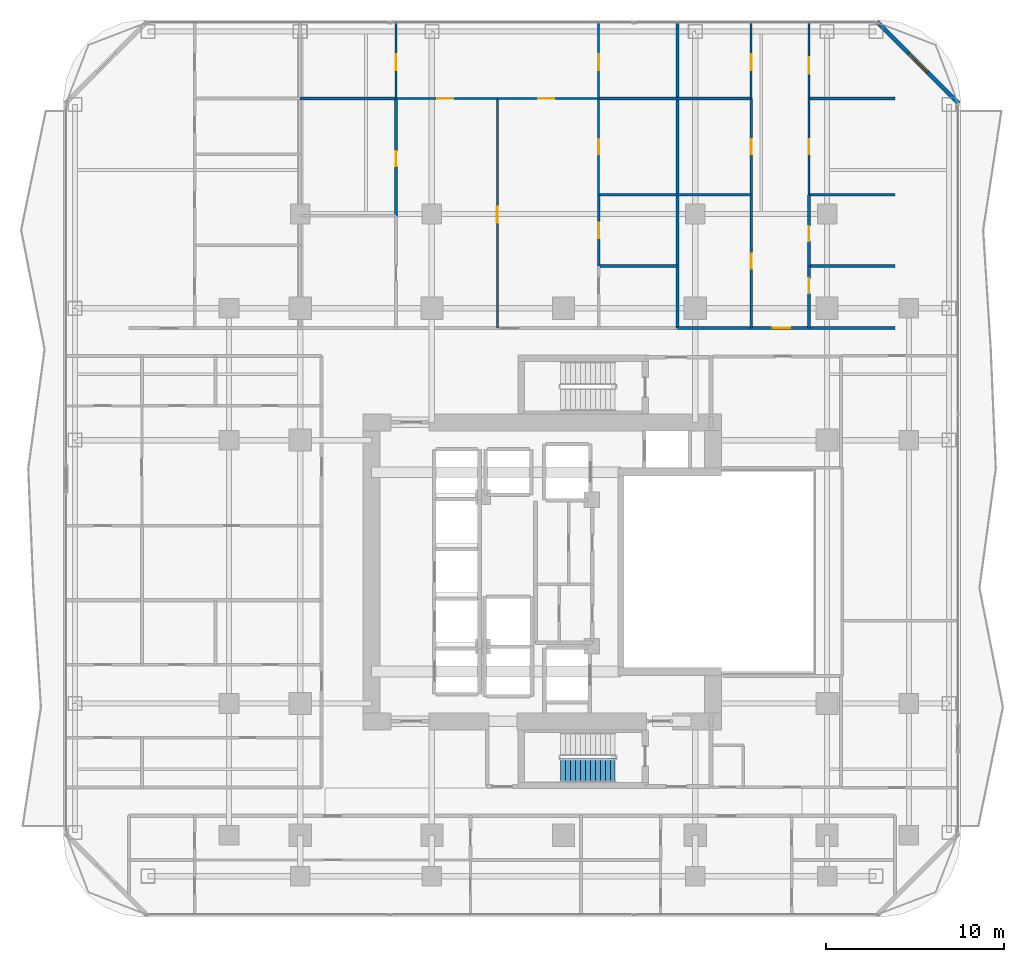
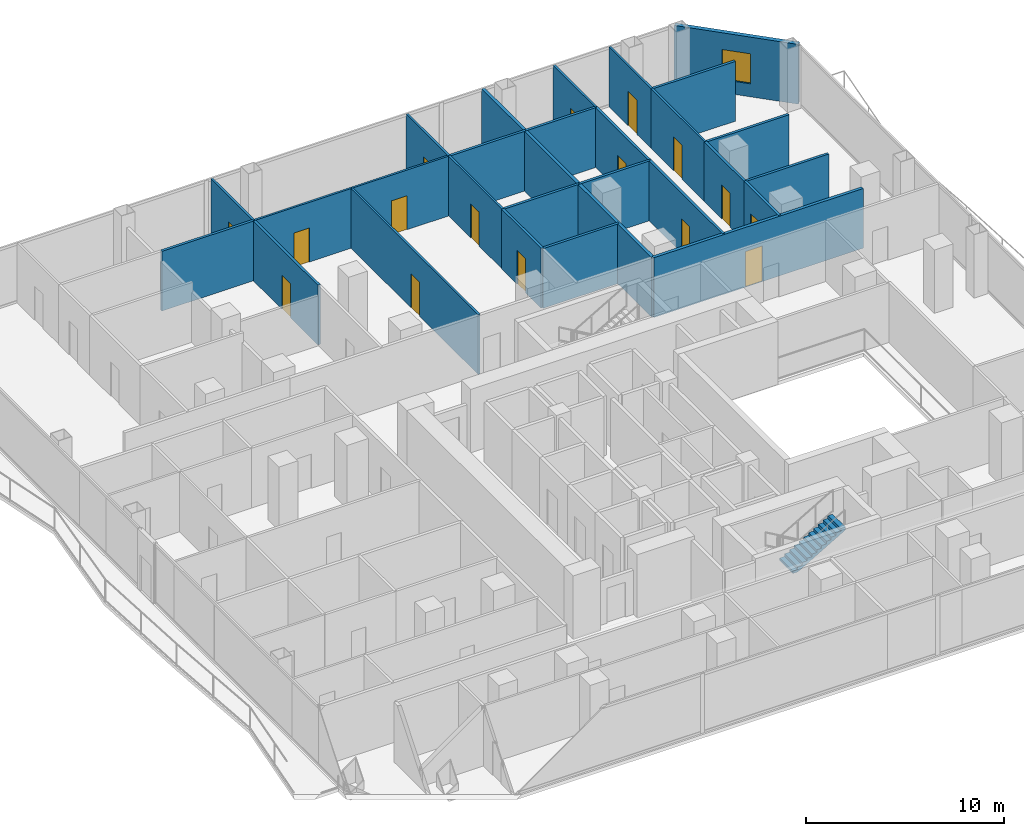
# One storey, part 23 of 28: 27 walls, 16 doors, 1 stair flight, 1 window, 17 openings, 1 element without a shape of its own.
"""IFC4 building model written with IfcOpenShell, lengths in metres."""

from ifc_helpers import new_model, si_unit, direction, frame, frame_2d, origin, place, context, subcontext, project, spatial, polyline, rectangle, outline, extrude, material, layer, layer_set, type_object, element, fill, aggregate, save


model = new_model("IFC4")

# Units and contexts
model_context = context("Model", 3, precision=1e-05, world=origin(), true_north=direction((0.0, 1.0)))
body_context = subcontext(model_context, "Body", "Model", "MODEL_VIEW")
ifc_project = project(units=[si_unit("LENGTHUNIT", "METRE"), si_unit("AREAUNIT", "SQUARE_METRE"), si_unit("VOLUMEUNIT", "CUBIC_METRE"), si_unit("PLANEANGLEUNIT", "RADIAN"), si_unit("MASSUNIT", "GRAM", prefix="KILO")], contexts=[model_context])

# Site, building, storey
site_placement = place(None, origin())
site = spatial("IfcSite", under=ifc_project, at=site_placement, CompositionType="ELEMENT")
building_placement = place(site_placement, origin())
building = spatial("IfcBuilding", under=site, at=building_placement, Name="Khorvyn Point Tower", CompositionType="ELEMENT")
storey_placement = place(building_placement, frame((0.0, 0.0, 100.800048828125)))
storey = spatial("IfcBuildingStorey", under=building, at=storey_placement, Name="L25", CompositionType="ELEMENT", Elevation=100.800048828125)

# Wall, opening, door
ifc_material_1 = material(Name="Double acoustic gypsum on twin steel stud", Category="steel")
ifc_layer_1 = layer(ifc_material_1, 0.179931640625)
ifc_layer_set_1 = layer_set([ifc_layer_1], Name="Acoustic Double-Stud Apartment Demising Wall 180")
wall_type_1 = type_object("IfcWallType", Name="Acoustic Double-Stud Apartment Demising Wall 180", PredefinedType="PARTITIONING", material=ifc_layer_set_1)
wall_1_placement = place(storey_placement, frame((6.404052734375, 13.699951171875, 0.0), z_axis=(0.0, 0.0, 1.0), x_axis=(1.0, 0.0, 0.0)))
wall_1 = element("IfcWall", 1, at=wall_1_placement, inside=storey, type_object=wall_type_1, Name="Wall", PredefinedType="PARTITIONING", context=body_context, shape_type="SweptSolid", body=[
    extrude(rectangle(XDim=12.216064453125, YDim=0.179931640625, at=frame_2d((6.10791015625, 0.0))), origin(), (0.0, 0.0, 1.0), 3.679931640625),
])
opening_1_placement = place(wall_1_placement, frame((5.340087890625, 0.0, 0.0)))
opening_1 = element("IfcOpeningElement", 2, at=opening_1_placement, cuts=wall_1, Name="Opening ID-AP60", PredefinedType="OPENING", context=body_context, shape_type="SweptSolid", body=[
    extrude(rectangle(XDim=1.0, YDim=2.199951171875, at=frame_2d((0.5, 1.10009765625))), frame((0.0, 0.099853515625, 0.0), z_axis=(0.0, -1.0, 0.0), x_axis=(1.0, 0.0, 0.0)), (0.0, 0.0, 1.0), 0.199951171875),
])
ifc_material_2 = material(Name="Engineered hardwood fire-rated leaf", Category="wood")
door_type_1 = type_object("IfcDoorType", Name="Acoustic Solid-Core Timber Apartment Entrance Door 1000x2200", OperationType="NOTDEFINED", PredefinedType="DOOR", material=ifc_material_2)
door_1_placement = place(opening_1_placement, origin())
door_1 = element("IfcDoor", 3, at=door_1_placement, inside=storey, type_object=door_type_1, Name="Door", OperationType="SINGLE_SWING_RIGHT", OverallHeight=2.199951171875, OverallWidth=1.0, PredefinedType="DOOR", context=body_context, shape_type="SweptSolid", body=[
    extrude(rectangle(XDim=1.0, YDim=2.199951171875, at=frame_2d((0.5, 1.10009765625))), frame((0.0, 0.02490234375, 0.0), z_axis=(0.0, -1.0, 0.0), x_axis=(1.0, 0.0, 0.0)), (0.0, 0.0, 1.0), 0.050048828125),
])
fill(opening_1, door_1)

# Wall
wall_2_placement = place(storey_placement, frame((6.404052734375, 13.699951171875, 0.0), z_axis=(0.0, 0.0, 1.0), x_axis=(0.0, 1.0, 0.0)))
element("IfcWall", 4, at=wall_2_placement, inside=storey, type_object=wall_type_1, Name="Wall", PredefinedType="PARTITIONING", context=body_context, shape_type="SweptSolid", body=[
    extrude(rectangle(XDim=17.130126953125, YDim=0.179931640625, at=frame_2d((8.56494140625, 0.0))), origin(), (0.0, 0.0, 1.0), 3.679931640625),
])

# Wall, opening, window
ifc_material_3 = material(Name="Pale anodised aluminium rainscreen on steel stud", Category="steel")
ifc_layer_2 = layer(ifc_material_3, 0.239990234375)
ifc_layer_set_2 = layer_set([ifc_layer_2], Name="Anodised Aluminium Insulated Corner Spandrel Wall 240")
wall_type_2 = type_object("IfcWallType", Name="Anodised Aluminium Insulated Corner Spandrel Wall 240", PredefinedType="SOLIDWALL", material=ifc_layer_set_2)
wall_3_placement = place(storey_placement, frame((17.607666015625, 30.892333984375, 0.0), z_axis=(0.0, 0.0, 1.0), x_axis=(0.707106781187, -0.707106781187, 0.0)))
wall_3 = element("IfcWall", 5, at=wall_3_placement, inside=storey, type_object=wall_type_2, Name="L25 Rounded Corner Wall NE", PredefinedType="SOLIDWALL", context=body_context, shape_type="SweptSolid", body=[
    extrude(rectangle(XDim=6.48388671875, YDim=0.239990234375, at=frame_2d((3.241943359375, 0.0))), origin(), (0.0, 0.0, 1.0), 3.679931640625),
])
opening_2_placement = place(wall_3_placement, frame((2.491943359375, 0.0, 0.800048828125)))
opening_2 = element("IfcOpeningElement", 6, at=opening_2_placement, cuts=wall_3, Name="Opening WN-1518", PredefinedType="OPENING", context=body_context, shape_type="SweptSolid", body=[
    extrude(rectangle(XDim=1.5, YDim=1.85009765625, at=frame_2d((0.75, 0.925048828125))), frame((0.0, 0.1298828125, 0.0), z_axis=(0.0, -1.0, 0.0), x_axis=(1.0, 0.0, 0.0)), (0.0, 0.0, 1.0), 0.260009765625),
])
ifc_material_4 = material(Name="Anodised aluminium 6063-T6 and laminated Low-E glass", Category="aluminium")
window_type = type_object("IfcWindowType", Name="Anodised Aluminium Rounded-Corner Panoramic Window 1500x1850", PartitioningType="SINGLE_PANEL", PredefinedType="WINDOW", material=ifc_material_4)
window_placement = place(opening_2_placement, origin())
window = element("IfcWindow", 7, at=window_placement, inside=storey, type_object=window_type, Name="L25 Corner Panoramic Window NE", OverallHeight=1.85009765625, OverallWidth=1.5, PartitioningType="SINGLE_PANEL", PredefinedType="WINDOW", context=body_context, shape_type="SweptSolid", body=[
    extrude(rectangle(XDim=1.5, YDim=1.85009765625, at=frame_2d((0.75, 0.925048828125))), frame((0.0, 0.030029296875, 0.0), z_axis=(0.0, -1.0, 0.0), x_axis=(1.0, 0.0, 0.0)), (0.0, 0.0, 1.0), 0.06005859375),
])
fill(opening_2, window)

# Wall, opening, door
ifc_material_5 = material(Name="Gypsum plasterboard on steel stud", Category="steel")
ifc_layer_3 = layer(ifc_material_5, 0.1201171875)
ifc_layer_set_3 = layer_set([ifc_layer_3], Name="Gypsum Acoustic Stud Room Partition Wall 120")
wall_type_3 = type_object("IfcWallType", Name="Gypsum Acoustic Stud Room Partition Wall 120", PredefinedType="PARTITIONING", material=ifc_layer_set_3)
wall_4_placement = place(storey_placement, frame((-9.4140625, 26.590087890625, 0.0), z_axis=(0.0, 0.0, 1.0), x_axis=(1.0, 0.0, 0.0)))
wall_4 = element("IfcWall", 8, at=wall_4_placement, inside=storey, type_object=wall_type_3, Name="Wall", PredefinedType="PARTITIONING", context=body_context, shape_type="SweptSolid", body=[
    extrude(rectangle(XDim=5.691162109375, YDim=0.1201171875, at=frame_2d((2.845703125, 0.0))), origin(), (0.0, 0.0, 1.0), 3.679931640625),
])
opening_3_placement = place(wall_4_placement, frame((2.30615234375, 0.0, 0.0)))
opening_3 = element("IfcOpeningElement", 9, at=opening_3_placement, cuts=wall_4, Name="Opening ID-RM90", PredefinedType="OPENING", context=body_context, shape_type="SweptSolid", body=[
    extrude(rectangle(XDim=0.89990234375, YDim=2.10009765625, at=frame_2d((0.449951171875, 1.050048828125))), frame((0.0, 0.070068359375, 0.0), z_axis=(0.0, -1.0, 0.0), x_axis=(1.0, 0.0, 0.0)), (0.0, 0.0, 1.0), 0.14013671875),
])
ifc_material_6 = material(Name="Engineered oak veneer timber", Category="wood")
door_type_2 = type_object("IfcDoorType", Name="Flush Engineered Timber Room Door 900x2100", OperationType="NOTDEFINED", PredefinedType="DOOR", material=ifc_material_6)
door_2_placement = place(opening_3_placement, origin())
door_2 = element("IfcDoor", 10, at=door_2_placement, inside=storey, type_object=door_type_2, Name="Door", OperationType="SINGLE_SWING_RIGHT", OverallHeight=2.10009765625, OverallWidth=0.89990234375, PredefinedType="DOOR", context=body_context, shape_type="SweptSolid", body=[
    extrude(rectangle(XDim=0.89990234375, YDim=2.10009765625, at=frame_2d((0.449951171875, 1.050048828125))), frame((0.0, 0.02490234375, 0.0), z_axis=(0.0, -1.0, 0.0), x_axis=(1.0, 0.0, 0.0)), (0.0, 0.0, 1.0), 0.050048828125),
])
fill(opening_3, door_2)

wall_5_placement = place(storey_placement, frame((-3.722900390625, 26.590087890625, 0.0), z_axis=(0.0, 0.0, 1.0), x_axis=(1.0, 0.0, 0.0)))
wall_5 = element("IfcWall", 11, at=wall_5_placement, inside=storey, type_object=wall_type_3, Name="Wall", PredefinedType="PARTITIONING", context=body_context, shape_type="SweptSolid", body=[
    extrude(rectangle(XDim=5.68994140625, YDim=0.1201171875, at=frame_2d((2.844970703125, 0.0))), origin(), (0.0, 0.0, 1.0), 3.679931640625),
])
opening_4_placement = place(wall_5_placement, frame((2.3056640625, 0.0, 0.0)))
opening_4 = element("IfcOpeningElement", 12, at=opening_4_placement, cuts=wall_5, Name="Opening ID-RM90", PredefinedType="OPENING", context=body_context, shape_type="SweptSolid", body=[
    extrude(rectangle(XDim=0.89990234375, YDim=2.10009765625, at=frame_2d((0.449951171875, 1.050048828125))), frame((0.0, 0.070068359375, 0.0), z_axis=(0.0, -1.0, 0.0), x_axis=(1.0, 0.0, 0.0)), (0.0, 0.0, 1.0), 0.14013671875),
])
door_3_placement = place(opening_4_placement, origin())
door_3 = element("IfcDoor", 13, at=door_3_placement, inside=storey, type_object=door_type_2, Name="Door", OperationType="SINGLE_SWING_LEFT", OverallHeight=2.10009765625, OverallWidth=0.89990234375, PredefinedType="DOOR", context=body_context, shape_type="SweptSolid", body=[
    extrude(rectangle(XDim=0.89990234375, YDim=2.10009765625, at=frame_2d((0.449951171875, 1.050048828125))), frame((0.0, 0.02490234375, 0.0), z_axis=(0.0, -1.0, 0.0), x_axis=(1.0, 0.0, 0.0)), (0.0, 0.0, 1.0), 0.050048828125),
])
fill(opening_4, door_3)

wall_6_placement = place(storey_placement, frame((-3.722900390625, 13.699951171875, 0.0), z_axis=(0.0, 0.0, 1.0), x_axis=(0.0, 1.0, 0.0)))
wall_6 = element("IfcWall", 14, at=wall_6_placement, inside=storey, type_object=wall_type_3, Name="Wall", PredefinedType="PARTITIONING", context=body_context, shape_type="SweptSolid", body=[
    extrude(rectangle(XDim=12.89013671875, YDim=0.1201171875, at=frame_2d((6.445068359375, 0.0))), origin(), (0.0, 0.0, 1.0), 3.679931640625),
])
opening_5_placement = place(wall_6_placement, frame((5.9052734375, 0.0, 0.0)))
opening_5 = element("IfcOpeningElement", 15, at=opening_5_placement, cuts=wall_6, Name="Opening ID-RM90", PredefinedType="OPENING", context=body_context, shape_type="SweptSolid", body=[
    extrude(rectangle(XDim=0.89990234375, YDim=2.10009765625, at=frame_2d((0.449951171875, 1.050048828125))), frame((0.0, 0.070068359375, 0.0), z_axis=(0.0, -1.0, 0.0), x_axis=(1.0, 0.0, 0.0)), (0.0, 0.0, 1.0), 0.14013671875),
])
door_4_placement = place(opening_5_placement, origin())
door_4 = element("IfcDoor", 16, at=door_4_placement, inside=storey, type_object=door_type_2, Name="Door", OperationType="SINGLE_SWING_RIGHT", OverallHeight=2.10009765625, OverallWidth=0.89990234375, PredefinedType="DOOR", context=body_context, shape_type="SweptSolid", body=[
    extrude(rectangle(XDim=0.89990234375, YDim=2.10009765625, at=frame_2d((0.449951171875, 1.050048828125))), frame((0.0, 0.02490234375, 0.0), z_axis=(0.0, -1.0, 0.0), x_axis=(1.0, 0.0, 0.0)), (0.0, 0.0, 1.0), 0.050048828125),
])
fill(opening_5, door_4)

wall_7_placement = place(storey_placement, frame((-9.4140625, 26.590087890625, 0.0), z_axis=(0.0, 0.0, 1.0), x_axis=(0.0, 1.0, 0.0)))
wall_7 = element("IfcWall", 17, at=wall_7_placement, inside=storey, type_object=wall_type_3, Name="Wall", PredefinedType="PARTITIONING", context=body_context, shape_type="SweptSolid", body=[
    extrude(rectangle(XDim=4.239990234375, YDim=0.1201171875, at=frame_2d((2.1201171875, 0.0))), origin(), (0.0, 0.0, 1.0), 3.679931640625),
])
opening_6_placement = place(wall_7_placement, frame((1.581298828125, 0.0, 0.0)))
opening_6 = element("IfcOpeningElement", 18, at=opening_6_placement, cuts=wall_7, Name="Opening ID-RM90", PredefinedType="OPENING", context=body_context, shape_type="SweptSolid", body=[
    extrude(rectangle(XDim=0.89990234375, YDim=2.10009765625, at=frame_2d((0.449951171875, 1.050048828125))), frame((0.0, 0.070068359375, 0.0), z_axis=(0.0, -1.0, 0.0), x_axis=(1.0, 0.0, 0.0)), (0.0, 0.0, 1.0), 0.14013671875),
])
door_5_placement = place(opening_6_placement, origin())
door_5 = element("IfcDoor", 19, at=door_5_placement, inside=storey, type_object=door_type_2, Name="Door", OperationType="SINGLE_SWING_LEFT", OverallHeight=2.10009765625, OverallWidth=0.89990234375, PredefinedType="DOOR", context=body_context, shape_type="SweptSolid", body=[
    extrude(rectangle(XDim=0.89990234375, YDim=2.10009765625, at=frame_2d((0.449951171875, 1.050048828125))), frame((0.0, 0.02490234375, 0.0), z_axis=(0.0, -1.0, 0.0), x_axis=(1.0, 0.0, 0.0)), (0.0, 0.0, 1.0), 0.050048828125),
])
fill(opening_6, door_5)

wall_8_placement = place(storey_placement, frame((1.967041015625, 21.176025390625, 0.0), z_axis=(0.0, 0.0, 1.0), x_axis=(0.0, 1.0, 0.0)))
wall_8 = element("IfcWall", 20, at=wall_8_placement, inside=storey, type_object=wall_type_3, Name="Wall", PredefinedType="PARTITIONING", context=body_context, shape_type="SweptSolid", body=[
    extrude(rectangle(XDim=5.4140625, YDim=0.1201171875, at=frame_2d((2.70703125, 0.0))), origin(), (0.0, 0.0, 1.0), 3.679931640625),
])
opening_7_placement = place(wall_8_placement, frame((2.281982421875, 0.0, 0.0)))
opening_7 = element("IfcOpeningElement", 21, at=opening_7_placement, cuts=wall_8, Name="Opening ID-WC85", PredefinedType="OPENING", context=body_context, shape_type="SweptSolid", body=[
    extrude(rectangle(XDim=0.85009765625, YDim=2.10009765625, at=frame_2d((0.425048828125, 1.050048828125))), frame((0.0, 0.070068359375, 0.0), z_axis=(0.0, -1.0, 0.0), x_axis=(1.0, 0.0, 0.0)), (0.0, 0.0, 1.0), 0.14013671875),
])
ifc_material_7 = material(Name="High-pressure laminate on moisture-resistant core", Category="wood")
door_type_3 = type_object("IfcDoorType", Name="Moisture-Resistant Accessible Washroom Door 850x2100", OperationType="NOTDEFINED", PredefinedType="DOOR", material=ifc_material_7)
door_6_placement = place(opening_7_placement, origin())
door_6 = element("IfcDoor", 22, at=door_6_placement, inside=storey, type_object=door_type_3, Name="Door", OperationType="SINGLE_SWING_RIGHT", OverallHeight=2.10009765625, OverallWidth=0.85009765625, PredefinedType="DOOR", context=body_context, shape_type="SweptSolid", body=[
    extrude(rectangle(XDim=0.85009765625, YDim=2.10009765625, at=frame_2d((0.425048828125, 1.050048828125))), frame((0.0, 0.02490234375, 0.0), z_axis=(0.0, -1.0, 0.0), x_axis=(1.0, 0.0, 0.0)), (0.0, 0.0, 1.0), 0.050048828125),
])
fill(opening_7, door_6)

wall_9_placement = place(storey_placement, frame((1.967041015625, 26.590087890625, 0.0), z_axis=(0.0, 0.0, 1.0), x_axis=(0.0, 1.0, 0.0)))
wall_9 = element("IfcWall", 23, at=wall_9_placement, inside=storey, type_object=wall_type_3, Name="Wall", PredefinedType="PARTITIONING", context=body_context, shape_type="SweptSolid", body=[
    extrude(rectangle(XDim=4.239990234375, YDim=0.1201171875, at=frame_2d((2.1201171875, 0.0))), origin(), (0.0, 0.0, 1.0), 3.679931640625),
])
opening_8_placement = place(wall_9_placement, frame((1.581298828125, 0.0, 0.0)))
opening_8 = element("IfcOpeningElement", 24, at=opening_8_placement, cuts=wall_9, Name="Opening ID-RM90", PredefinedType="OPENING", context=body_context, shape_type="SweptSolid", body=[
    extrude(rectangle(XDim=0.89990234375, YDim=2.10009765625, at=frame_2d((0.449951171875, 1.050048828125))), frame((0.0, 0.070068359375, 0.0), z_axis=(0.0, -1.0, 0.0), x_axis=(1.0, 0.0, 0.0)), (0.0, 0.0, 1.0), 0.14013671875),
])
door_7_placement = place(opening_8_placement, origin())
door_7 = element("IfcDoor", 25, at=door_7_placement, inside=storey, type_object=door_type_2, Name="Door", OperationType="SINGLE_SWING_LEFT", OverallHeight=2.10009765625, OverallWidth=0.89990234375, PredefinedType="DOOR", context=body_context, shape_type="SweptSolid", body=[
    extrude(rectangle(XDim=0.89990234375, YDim=2.10009765625, at=frame_2d((0.449951171875, 1.050048828125))), frame((0.0, 0.02490234375, 0.0), z_axis=(0.0, -1.0, 0.0), x_axis=(1.0, 0.0, 0.0)), (0.0, 0.0, 1.0), 0.050048828125),
])
fill(opening_8, door_7)

wall_10_placement = place(storey_placement, frame((10.532958984375, 26.590087890625, 0.0), z_axis=(0.0, 0.0, 1.0), x_axis=(0.0, 1.0, 0.0)))
wall_10 = element("IfcWall", 26, at=wall_10_placement, inside=storey, type_object=wall_type_3, Name="Wall", PredefinedType="PARTITIONING", context=body_context, shape_type="SweptSolid", body=[
    extrude(rectangle(XDim=4.239990234375, YDim=0.1201171875, at=frame_2d((2.1201171875, 0.0))), origin(), (0.0, 0.0, 1.0), 3.679931640625),
])
opening_9_placement = place(wall_10_placement, frame((1.581298828125, 0.0, 0.0)))
opening_9 = element("IfcOpeningElement", 27, at=opening_9_placement, cuts=wall_10, Name="Opening ID-RM90", PredefinedType="OPENING", context=body_context, shape_type="SweptSolid", body=[
    extrude(rectangle(XDim=0.89990234375, YDim=2.10009765625, at=frame_2d((0.449951171875, 1.050048828125))), frame((0.0, 0.070068359375, 0.0), z_axis=(0.0, -1.0, 0.0), x_axis=(1.0, 0.0, 0.0)), (0.0, 0.0, 1.0), 0.14013671875),
])
door_8_placement = place(opening_9_placement, origin())
door_8 = element("IfcDoor", 28, at=door_8_placement, inside=storey, type_object=door_type_2, Name="Door", OperationType="SINGLE_SWING_LEFT", OverallHeight=2.10009765625, OverallWidth=0.89990234375, PredefinedType="DOOR", context=body_context, shape_type="SweptSolid", body=[
    extrude(rectangle(XDim=0.89990234375, YDim=2.10009765625, at=frame_2d((0.449951171875, 1.050048828125))), frame((0.0, 0.02490234375, 0.0), z_axis=(0.0, -1.0, 0.0), x_axis=(1.0, 0.0, 0.0)), (0.0, 0.0, 1.0), 0.050048828125),
])
fill(opening_9, door_8)

wall_11_placement = place(storey_placement, frame((13.782958984375, 21.176025390625, 0.0), z_axis=(0.0, 0.0, 1.0), x_axis=(0.0, 1.0, 0.0)))
wall_11 = element("IfcWall", 29, at=wall_11_placement, inside=storey, type_object=wall_type_3, Name="Wall", PredefinedType="PARTITIONING", context=body_context, shape_type="SweptSolid", body=[
    extrude(rectangle(XDim=5.4140625, YDim=0.1201171875, at=frame_2d((2.70703125, 0.0))), origin(), (0.0, 0.0, 1.0), 3.679931640625),
])
opening_10_placement = place(wall_11_placement, frame((2.281982421875, 0.0, 0.0)))
opening_10 = element("IfcOpeningElement", 30, at=opening_10_placement, cuts=wall_11, Name="Opening ID-WC85", PredefinedType="OPENING", context=body_context, shape_type="SweptSolid", body=[
    extrude(rectangle(XDim=0.85009765625, YDim=2.10009765625, at=frame_2d((0.425048828125, 1.050048828125))), frame((0.0, 0.070068359375, 0.0), z_axis=(0.0, -1.0, 0.0), x_axis=(1.0, 0.0, 0.0)), (0.0, 0.0, 1.0), 0.14013671875),
])
door_9_placement = place(opening_10_placement, origin())
door_9 = element("IfcDoor", 31, at=door_9_placement, inside=storey, type_object=door_type_3, Name="Door", OperationType="SINGLE_SWING_RIGHT", OverallHeight=2.10009765625, OverallWidth=0.85009765625, PredefinedType="DOOR", context=body_context, shape_type="SweptSolid", body=[
    extrude(rectangle(XDim=0.85009765625, YDim=2.10009765625, at=frame_2d((0.425048828125, 1.050048828125))), frame((0.0, 0.02490234375, 0.0), z_axis=(0.0, -1.0, 0.0), x_axis=(1.0, 0.0, 0.0)), (0.0, 0.0, 1.0), 0.050048828125),
])
fill(opening_10, door_9)

wall_12_placement = place(storey_placement, frame((13.782958984375, 26.590087890625, 0.0), z_axis=(0.0, 0.0, 1.0), x_axis=(0.0, 1.0, 0.0)))
wall_12 = element("IfcWall", 32, at=wall_12_placement, inside=storey, type_object=wall_type_3, Name="Wall", PredefinedType="PARTITIONING", context=body_context, shape_type="SweptSolid", body=[
    extrude(rectangle(XDim=4.239990234375, YDim=0.1201171875, at=frame_2d((2.1201171875, 0.0))), origin(), (0.0, 0.0, 1.0), 3.679931640625),
])
opening_11_placement = place(wall_12_placement, frame((1.403564453125, 0.0, 0.0)))
opening_11 = element("IfcOpeningElement", 33, at=opening_11_placement, cuts=wall_12, Name="Opening ID-RM90", PredefinedType="OPENING", context=body_context, shape_type="SweptSolid", body=[
    extrude(rectangle(XDim=0.89990234375, YDim=2.10009765625, at=frame_2d((0.449951171875, 1.050048828125))), frame((0.0, 0.070068359375, 0.0), z_axis=(0.0, -1.0, 0.0), x_axis=(1.0, 0.0, 0.0)), (0.0, 0.0, 1.0), 0.14013671875),
])
door_10_placement = place(opening_11_placement, origin())
door_10 = element("IfcDoor", 34, at=door_10_placement, inside=storey, type_object=door_type_2, Name="Door", OperationType="SINGLE_SWING_LEFT", OverallHeight=2.10009765625, OverallWidth=0.89990234375, PredefinedType="DOOR", context=body_context, shape_type="SweptSolid", body=[
    extrude(rectangle(XDim=0.89990234375, YDim=2.10009765625, at=frame_2d((0.449951171875, 1.050048828125))), frame((0.0, 0.02490234375, 0.0), z_axis=(0.0, -1.0, 0.0), x_axis=(1.0, 0.0, 0.0)), (0.0, 0.0, 1.0), 0.050048828125),
])
fill(opening_11, door_10)

ifc_material_8 = material(Name="Moisture-resistant gypsum and cement board", Category="gypsum")
ifc_layer_4 = layer(ifc_material_8, 0.14990234375)
ifc_layer_set_4 = layer_set([ifc_layer_4], Name="Moisture-Resistant Wet-Room Partition Wall 150")
wall_type_4 = type_object("IfcWallType", Name="Moisture-Resistant Wet-Room Partition Wall 150", PredefinedType="PARTITIONING", material=ifc_layer_set_4)
wall_13_placement = place(storey_placement, frame((-9.4140625, 20.0029296875, 0.0), z_axis=(0.0, 0.0, 1.0), x_axis=(0.0, 1.0, 0.0)))
wall_13 = element("IfcWall", 35, at=wall_13_placement, inside=storey, type_object=wall_type_4, Name="Wall", PredefinedType="PARTITIONING", context=body_context, shape_type="SweptSolid", body=[
    extrude(rectangle(XDim=6.587158203125, YDim=0.14990234375, at=frame_2d((3.29345703125, 0.0))), origin(), (0.0, 0.0, 1.0), 3.679931640625),
])
opening_12_placement = place(wall_13_placement, frame((2.781005859375, 0.0, 0.0)))
opening_12 = element("IfcOpeningElement", 36, at=opening_12_placement, cuts=wall_13, Name="Opening ID-WC85", PredefinedType="OPENING", context=body_context, shape_type="SweptSolid", body=[
    extrude(rectangle(XDim=0.85009765625, YDim=2.10009765625, at=frame_2d((0.425048828125, 1.050048828125))), frame((0.0, 0.0849609375, 0.0), z_axis=(0.0, -1.0, 0.0), x_axis=(1.0, 0.0, 0.0)), (0.0, 0.0, 1.0), 0.169921875),
])
door_11_placement = place(opening_12_placement, origin())
door_11 = element("IfcDoor", 37, at=door_11_placement, inside=storey, type_object=door_type_3, Name="Door", OperationType="SINGLE_SWING_RIGHT", OverallHeight=2.10009765625, OverallWidth=0.85009765625, PredefinedType="DOOR", context=body_context, shape_type="SweptSolid", body=[
    extrude(rectangle(XDim=0.85009765625, YDim=2.10009765625, at=frame_2d((0.425048828125, 1.050048828125))), frame((0.0, 0.02490234375, 0.0), z_axis=(0.0, -1.0, 0.0), x_axis=(1.0, 0.0, 0.0)), (0.0, 0.0, 1.0), 0.050048828125),
])
fill(opening_12, door_11)

wall_14_placement = place(storey_placement, frame((1.967041015625, 17.179931640625, 0.0), z_axis=(0.0, 0.0, 1.0), x_axis=(0.0, 1.0, 0.0)))
wall_14 = element("IfcWall", 38, at=wall_14_placement, inside=storey, type_object=wall_type_4, Name="Wall", PredefinedType="PARTITIONING", context=body_context, shape_type="SweptSolid", body=[
    extrude(rectangle(XDim=3.99609375, YDim=0.14990234375, at=frame_2d((1.998046875, 0.0))), origin(), (0.0, 0.0, 1.0), 3.679931640625),
])
opening_13_placement = place(wall_14_placement, frame((1.572998046875, 0.0, 0.0)))
opening_13 = element("IfcOpeningElement", 39, at=opening_13_placement, cuts=wall_14, Name="Opening ID-WC85", PredefinedType="OPENING", context=body_context, shape_type="SweptSolid", body=[
    extrude(rectangle(XDim=0.85009765625, YDim=2.10009765625, at=frame_2d((0.425048828125, 1.050048828125))), frame((0.0, 0.0849609375, 0.0), z_axis=(0.0, -1.0, 0.0), x_axis=(1.0, 0.0, 0.0)), (0.0, 0.0, 1.0), 0.169921875),
])
door_12_placement = place(opening_13_placement, origin())
door_12 = element("IfcDoor", 40, at=door_12_placement, inside=storey, type_object=door_type_3, Name="Door", OperationType="SINGLE_SWING_LEFT", OverallHeight=2.10009765625, OverallWidth=0.85009765625, PredefinedType="DOOR", context=body_context, shape_type="SweptSolid", body=[
    extrude(rectangle(XDim=0.85009765625, YDim=2.10009765625, at=frame_2d((0.425048828125, 1.050048828125))), frame((0.0, 0.02490234375, 0.0), z_axis=(0.0, -1.0, 0.0), x_axis=(1.0, 0.0, 0.0)), (0.0, 0.0, 1.0), 0.050048828125),
])
fill(opening_13, door_12)

wall_15_placement = place(storey_placement, frame((10.532958984375, 13.699951171875, 0.0), z_axis=(0.0, 0.0, 1.0), x_axis=(0.0, 1.0, 0.0)))
wall_15 = element("IfcWall", 41, at=wall_15_placement, inside=storey, type_object=wall_type_4, Name="Wall", PredefinedType="PARTITIONING", context=body_context, shape_type="SweptSolid", body=[
    extrude(rectangle(XDim=7.47607421875, YDim=0.14990234375, at=frame_2d((3.738037109375, 0.0))), origin(), (0.0, 0.0, 1.0), 3.679931640625),
])
opening_14_placement = place(wall_15_placement, frame((3.31298828125, 0.0, 0.0)))
opening_14 = element("IfcOpeningElement", 42, at=opening_14_placement, cuts=wall_15, Name="Opening ID-WC85", PredefinedType="OPENING", context=body_context, shape_type="SweptSolid", body=[
    extrude(rectangle(XDim=0.85009765625, YDim=2.10009765625, at=frame_2d((0.425048828125, 1.050048828125))), frame((0.0, 0.0849609375, 0.0), z_axis=(0.0, -1.0, 0.0), x_axis=(1.0, 0.0, 0.0)), (0.0, 0.0, 1.0), 0.169921875),
])
door_13_placement = place(opening_14_placement, origin())
door_13 = element("IfcDoor", 43, at=door_13_placement, inside=storey, type_object=door_type_3, Name="Door", OperationType="SINGLE_SWING_LEFT", OverallHeight=2.10009765625, OverallWidth=0.85009765625, PredefinedType="DOOR", context=body_context, shape_type="SweptSolid", body=[
    extrude(rectangle(XDim=0.85009765625, YDim=2.10009765625, at=frame_2d((0.425048828125, 1.050048828125))), frame((0.0, 0.02490234375, 0.0), z_axis=(0.0, -1.0, 0.0), x_axis=(1.0, 0.0, 0.0)), (0.0, 0.0, 1.0), 0.050048828125),
])
fill(opening_14, door_13)

wall_16_placement = place(storey_placement, frame((10.532958984375, 21.176025390625, 0.0), z_axis=(0.0, 0.0, 1.0), x_axis=(0.0, 1.0, 0.0)))
wall_16 = element("IfcWall", 44, at=wall_16_placement, inside=storey, type_object=wall_type_4, Name="Wall", PredefinedType="PARTITIONING", context=body_context, shape_type="SweptSolid", body=[
    extrude(rectangle(XDim=5.4140625, YDim=0.14990234375, at=frame_2d((2.70703125, 0.0))), origin(), (0.0, 0.0, 1.0), 3.679931640625),
])
opening_15_placement = place(wall_16_placement, frame((2.281982421875, 0.0, 0.0)))
opening_15 = element("IfcOpeningElement", 45, at=opening_15_placement, cuts=wall_16, Name="Opening ID-WC85", PredefinedType="OPENING", context=body_context, shape_type="SweptSolid", body=[
    extrude(rectangle(XDim=0.85009765625, YDim=2.10009765625, at=frame_2d((0.425048828125, 1.050048828125))), frame((0.0, 0.0849609375, 0.0), z_axis=(0.0, -1.0, 0.0), x_axis=(1.0, 0.0, 0.0)), (0.0, 0.0, 1.0), 0.169921875),
])
door_14_placement = place(opening_15_placement, origin())
door_14 = element("IfcDoor", 46, at=door_14_placement, inside=storey, type_object=door_type_3, Name="Door", OperationType="SINGLE_SWING_RIGHT", OverallHeight=2.10009765625, OverallWidth=0.85009765625, PredefinedType="DOOR", context=body_context, shape_type="SweptSolid", body=[
    extrude(rectangle(XDim=0.85009765625, YDim=2.10009765625, at=frame_2d((0.425048828125, 1.050048828125))), frame((0.0, 0.02490234375, 0.0), z_axis=(0.0, -1.0, 0.0), x_axis=(1.0, 0.0, 0.0)), (0.0, 0.0, 1.0), 0.050048828125),
])
fill(opening_15, door_14)

wall_17_placement = place(storey_placement, frame((13.782958984375, 13.699951171875, 0.0), z_axis=(0.0, 0.0, 1.0), x_axis=(0.0, 1.0, 0.0)))
wall_17 = element("IfcWall", 47, at=wall_17_placement, inside=storey, type_object=wall_type_4, Name="Wall", PredefinedType="PARTITIONING", context=body_context, shape_type="SweptSolid", body=[
    extrude(rectangle(XDim=3.47998046875, YDim=0.14990234375, at=frame_2d((1.739990234375, 0.0))), origin(), (0.0, 0.0, 1.0), 3.679931640625),
])
opening_16_placement = place(wall_17_placement, frame((1.93701171875, 0.0, 0.0)))
opening_16 = element("IfcOpeningElement", 48, at=opening_16_placement, cuts=wall_17, Name="Opening ID-WC85", PredefinedType="OPENING", context=body_context, shape_type="SweptSolid", body=[
    extrude(rectangle(XDim=0.85009765625, YDim=2.10009765625, at=frame_2d((0.425048828125, 1.050048828125))), frame((0.0, 0.0849609375, 0.0), z_axis=(0.0, -1.0, 0.0), x_axis=(1.0, 0.0, 0.0)), (0.0, 0.0, 1.0), 0.169921875),
])
door_15_placement = place(opening_16_placement, origin())
door_15 = element("IfcDoor", 49, at=door_15_placement, inside=storey, type_object=door_type_3, Name="Door", OperationType="SINGLE_SWING_RIGHT", OverallHeight=2.10009765625, OverallWidth=0.85009765625, PredefinedType="DOOR", context=body_context, shape_type="SweptSolid", body=[
    extrude(rectangle(XDim=0.85009765625, YDim=2.10009765625, at=frame_2d((0.425048828125, 1.050048828125))), frame((0.0, 0.02490234375, 0.0), z_axis=(0.0, -1.0, 0.0), x_axis=(1.0, 0.0, 0.0)), (0.0, 0.0, 1.0), 0.050048828125),
])
fill(opening_16, door_15)

wall_18_placement = place(storey_placement, frame((13.782958984375, 17.179931640625, 0.0), z_axis=(0.0, 0.0, 1.0), x_axis=(0.0, 1.0, 0.0)))
wall_18 = element("IfcWall", 50, at=wall_18_placement, inside=storey, type_object=wall_type_4, Name="Wall", PredefinedType="PARTITIONING", context=body_context, shape_type="SweptSolid", body=[
    extrude(rectangle(XDim=3.99609375, YDim=0.14990234375, at=frame_2d((1.998046875, 0.0))), origin(), (0.0, 0.0, 1.0), 3.679931640625),
])
opening_17_placement = place(wall_18_placement, frame((1.396484375, 0.0, 0.0)))
opening_17 = element("IfcOpeningElement", 51, at=opening_17_placement, cuts=wall_18, Name="Opening ID-WC85", PredefinedType="OPENING", context=body_context, shape_type="SweptSolid", body=[
    extrude(rectangle(XDim=0.85009765625, YDim=2.10009765625, at=frame_2d((0.425048828125, 1.050048828125))), frame((0.0, 0.0849609375, 0.0), z_axis=(0.0, -1.0, 0.0), x_axis=(1.0, 0.0, 0.0)), (0.0, 0.0, 1.0), 0.169921875),
])
door_16_placement = place(opening_17_placement, origin())
door_16 = element("IfcDoor", 52, at=door_16_placement, inside=storey, type_object=door_type_3, Name="Door", OperationType="SINGLE_SWING_LEFT", OverallHeight=2.10009765625, OverallWidth=0.85009765625, PredefinedType="DOOR", context=body_context, shape_type="SweptSolid", body=[
    extrude(rectangle(XDim=0.85009765625, YDim=2.10009765625, at=frame_2d((0.425048828125, 1.050048828125))), frame((0.0, 0.02490234375, 0.0), z_axis=(0.0, -1.0, 0.0), x_axis=(1.0, 0.0, 0.0)), (0.0, 0.0, 1.0), 0.050048828125),
])
fill(opening_17, door_16)

# Walls
wall_19_placement = place(storey_placement, frame((-14.80810546875, 26.590087890625, 0.0), z_axis=(0.0, 0.0, 1.0), x_axis=(1.0, 0.0, 0.0)))
element("IfcWall", 53, at=wall_19_placement, inside=storey, type_object=wall_type_4, Name="Wall", PredefinedType="PARTITIONING", context=body_context, shape_type="SweptSolid", body=[
    extrude(rectangle(XDim=5.39404296875, YDim=0.14990234375, at=frame_2d((2.697021484375, 0.0))), origin(), (0.0, 0.0, 1.0), 3.679931640625),
])
for number, where, z_axis, x_axis, name in (
    (54, (1.967041015625, 17.179931640625, 0.0), (0.0, 0.0, 1.0), (1.0, 0.0, 0.0), "Wall"),
    (55, (1.967041015625, 21.176025390625, 0.0), (0.0, 0.0, 1.0), (1.0, 0.0, 0.0), "Wall"),
    (56, (1.967041015625, 26.590087890625, 0.0), (0.0, 0.0, 1.0), (1.0, 0.0, 0.0), "Wall"),
):
    element("IfcWall", number, at=place(storey_placement, frame(where, z_axis=z_axis, x_axis=x_axis)), inside=storey, type_object=wall_type_4, Name=name, PredefinedType="PARTITIONING", context=body_context, shape_type="SweptSolid", body=[
        extrude(rectangle(XDim=4.43701171875, YDim=0.14990234375, at=frame_2d((2.218505859375, 0.0))), origin(), (0.0, 0.0, 1.0), 3.679931640625),
    ])
for number, where, z_axis, x_axis, name in (
    (57, (6.404052734375, 21.176025390625, 0.0), (0.0, 0.0, 1.0), (1.0, 0.0, 0.0), "Wall"),
    (58, (6.404052734375, 26.590087890625, 0.0), (0.0, 0.0, 1.0), (1.0, 0.0, 0.0), "Wall"),
):
    element("IfcWall", number, at=place(storey_placement, frame(where, z_axis=z_axis, x_axis=x_axis)), inside=storey, type_object=wall_type_4, Name=name, PredefinedType="PARTITIONING", context=body_context, shape_type="SweptSolid", body=[
        extrude(rectangle(XDim=4.12890625, YDim=0.14990234375, at=frame_2d((2.064453125, 0.0))), origin(), (0.0, 0.0, 1.0), 3.679931640625),
    ])
for number, where, z_axis, x_axis, name in (
    (59, (13.782958984375, 17.179931640625, 0.0), (0.0, 0.0, 1.0), (1.0, 0.0, 0.0), "Wall"),
    (60, (13.782958984375, 21.176025390625, 0.0), (0.0, 0.0, 1.0), (1.0, 0.0, 0.0), "Wall"),
    (61, (13.782958984375, 26.590087890625, 0.0), (0.0, 0.0, 1.0), (1.0, 0.0, 0.0), "Wall"),
):
    element("IfcWall", number, at=place(storey_placement, frame(where, z_axis=z_axis, x_axis=x_axis)), inside=storey, type_object=wall_type_4, Name=name, PredefinedType="PARTITIONING", context=body_context, shape_type="SweptSolid", body=[
        extrude(rectangle(XDim=4.837158203125, YDim=0.14990234375, at=frame_2d((2.41845703125, 0.0))), origin(), (0.0, 0.0, 1.0), 3.679931640625),
    ])

# Stair, stair flight
ifc_material_9 = material(Name="Concrete C40/50", Category="concrete")
stair_type = type_object("IfcStairType", Name="Tower Concrete C40/50 Dogleg Exit Stair", PredefinedType="HALF_TURN_STAIR", material=ifc_material_9)
stair_placement = place(storey_placement, origin())
stair = element("IfcStair", 62, at=stair_placement, inside=storey, type_object=stair_type, Name="L25 Tower Smokeproof Exit Stair South", PredefinedType="HALF_TURN_STAIR")
stair_flight_type = type_object("IfcStairFlightType", Name="Tower Concrete C40/50 Stair Flight", PredefinedType="STRAIGHT", material=ifc_material_9)
stair_flight_placement = place(storey_placement, frame((-0.179931640625, -11.159912109375, 1.949951171875), z_axis=(0.0, 0.0, 1.0), x_axis=(1.0, 0.0, 0.0)))
stair_flight = element("IfcStairFlight", 63, at=stair_flight_placement, type_object=stair_flight_type, Name="ST-01 flight 2", NumberOfRisers=12, NumberOfTreads=11, PredefinedType="STRAIGHT", RiserHeight=0.1625, TreadLength=0.28, context=body_context, shape_type="SweptSolid", body=[
    extrude(outline(polyline([(0.0, 0.0), (0.0, 0.16259765625), (0.280029296875, 0.16259765625), (0.280029296875, 0.324951171875), (0.56005859375, 0.324951171875), (0.56005859375, 0.487548828125), (0.840087890625, 0.487548828125), (0.840087890625, 0.64990234375), (1.1201171875, 0.64990234375), (1.1201171875, 0.8125), (1.39990234375, 0.8125), (1.39990234375, 0.97509765625), (1.679931640625, 0.97509765625), (1.679931640625, 1.137451171875), (1.9599609375, 1.137451171875), (1.9599609375, 1.300048828125), (2.239990234375, 1.300048828125), (2.239990234375, 1.46240234375), (2.52001953125, 1.46240234375), (2.52001953125, 1.625), (2.800048828125, 1.625), (2.800048828125, 1.78759765625), (3.080078125, 1.78759765625), (3.080078125, 1.949951171875), (3.080078125, 1.6142578125), (0.298583984375, 0.0), (0.0, 0.0)])), frame((0.0, 0.66015625, 0.0), z_axis=(0.0, -1.0, 0.0), x_axis=(1.0, 0.0, 0.0)), (0.0, 0.0, 1.0), 1.320068359375),
])
aggregate(stair, [stair_flight])

save(model, "model.ifc")
